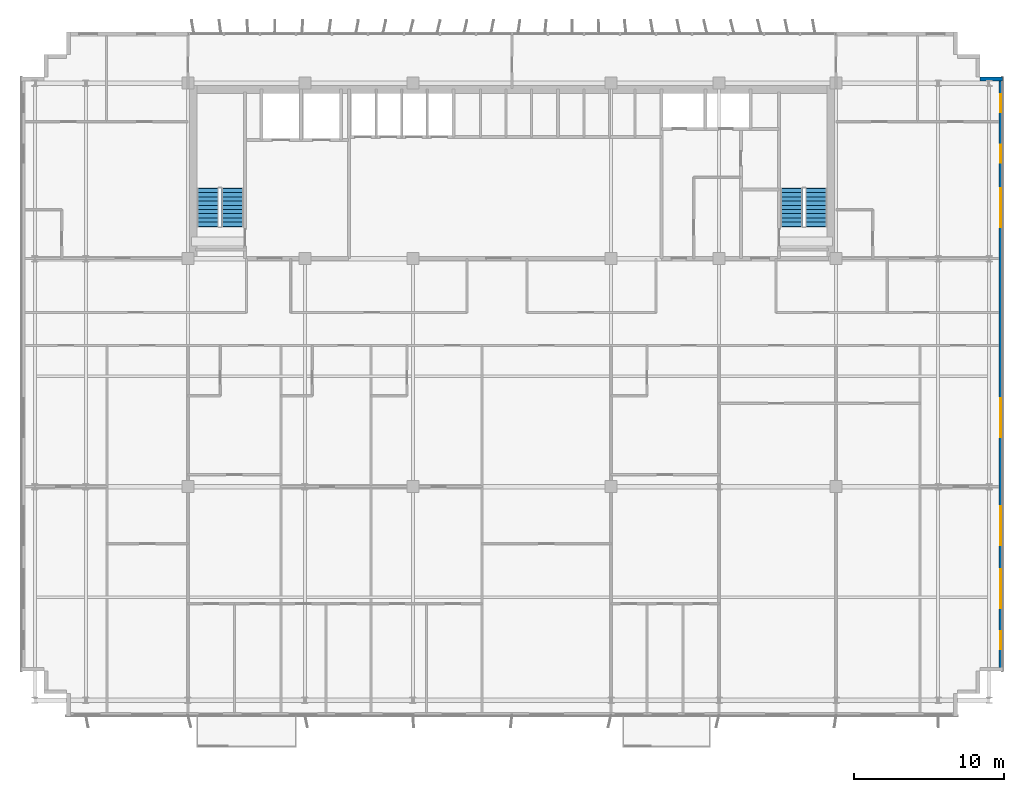
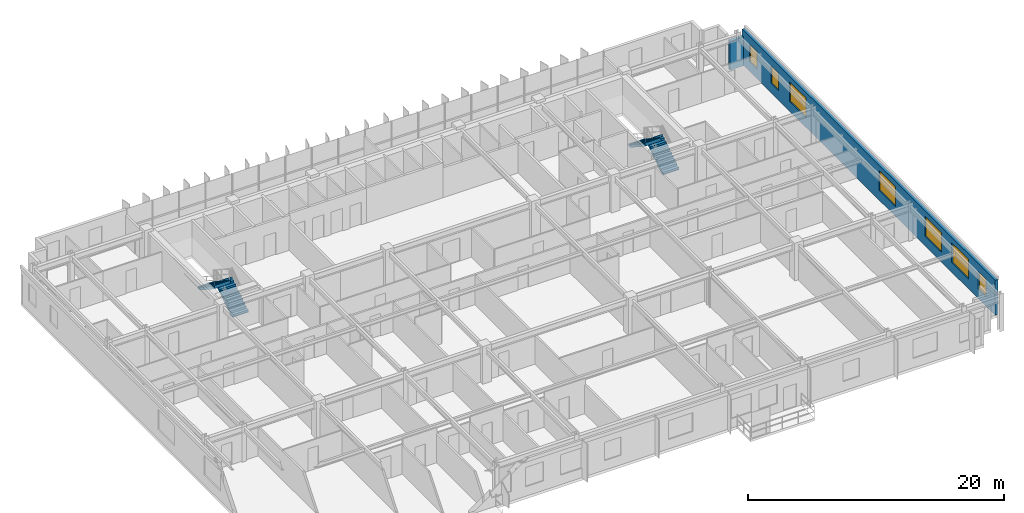
# One storey, part 19 of 22: 7 windows, 4 stair flights, 2 walls, 7 openings, 2 elements without a shape of their own.
"""IFC4 building model written with IfcOpenShell, lengths in metres."""

import ifcopenshell
import ifcopenshell.guid

model = None  # the IFC model being written
_history = None  # IfcOwnerHistory: only IFC2X3 demands one
_inside = {}  # id of a spatial element -> (the spatial element, [elements in it])
_under = {}  # id of a project, library or spatial element -> (it, [spatial elements below it])
_declared = {}  # id of a project -> (the project, [libraries it declares])
_typed = {}  # id of a type object -> (the type object, [elements of that type])
_made_of = {}  # id of a material, layer set ... -> (it, [elements and type objects made of it])


def new_model(schema):
    """Start an empty IFC model of exactly this schema.

    Asked for "IFC4X3", IfcOpenShell would pick the latest addendum, in which some entities
    have other attributes; the version numbers below select the first issue.
    IFC2X3 requires an IfcOwnerHistory on every rooted entity: one is made here for all.
    """
    global model, _history
    if schema == "IFC4X3":
        model = ifcopenshell.file(schema_version=(4, 3, 0, 0))
    else:
        model = ifcopenshell.file(schema=schema)
    _inside.clear()
    _under.clear()
    _declared.clear()
    _typed.clear()
    _made_of.clear()
    _history = None
    if model.schema == "IFC2X3":
        org = make("IfcOrganization", Name="unknown")
        user = make(
            "IfcPersonAndOrganization",
            ThePerson=make("IfcPerson", FamilyName="unknown"),
            TheOrganization=org,
        )
        app = make(
            "IfcApplication",
            ApplicationDeveloper=org,
            Version="unknown",
            ApplicationFullName="unknown",
            ApplicationIdentifier="unknown",
        )
        _history = make(
            "IfcOwnerHistory",
            OwningUser=user,
            OwningApplication=app,
            ChangeAction="ADDED",
            CreationDate=0,
        )
    return model


def make(cls, **values):
    """One entity of the class cls with the attributes given. An attribute that is None is left unset."""
    return model.create_entity(
        cls, **{name: value for name, value in values.items() if value is not None}
    )


def rooted(cls, **values):
    """An entity with a GlobalId (a new one), such as an element, a storey or a relation."""
    return make(cls, GlobalId=ifcopenshell.guid.new(), OwnerHistory=_history, **values)


def si_unit(unit_type, name, prefix=None):
    """IfcSIUnit, for example si_unit("LENGTHUNIT", "METRE", prefix="MILLI")."""
    return make("IfcSIUnit", UnitType=unit_type, Prefix=prefix, Name=name)


def assignment(units):
    """IfcUnitAssignment: the units of a project."""
    return None if units is None else make("IfcUnitAssignment", Units=units)


def point(xyz):
    """IfcCartesianPoint."""
    return None if xyz is None else make("IfcCartesianPoint", Coordinates=xyz)


def direction(xyz):
    """IfcDirection."""
    return None if xyz is None else make("IfcDirection", DirectionRatios=xyz)


def frame(location, z_axis=None, x_axis=None):
    """IfcAxis2Placement3D, a coordinate frame: its origin and axes. An axis left out is left unset."""
    return make(
        "IfcAxis2Placement3D",
        Location=point(location),
        Axis=direction(z_axis),
        RefDirection=direction(x_axis),
    )


def frame_2d(location, x_axis=None):
    """IfcAxis2Placement2D, a coordinate frame in the plane: its origin and x axis."""
    return make(
        "IfcAxis2Placement2D", Location=point(location), RefDirection=direction(x_axis)
    )


def origin():
    """The frame at (0, 0, 0) with its axes left unset."""
    return frame((0.0, 0.0, 0.0))


def place(relative_to, where):
    """IfcLocalPlacement: puts the frame where relative to a parent placement (None: the world)."""
    return make(
        "IfcLocalPlacement", PlacementRelTo=relative_to, RelativePlacement=where
    )


def context(
    kind, dimensions, precision=None, world=None, true_north=None, identifier=None
):
    """IfcGeometricRepresentationContext, for example the 3D "Model" context."""
    return make(
        "IfcGeometricRepresentationContext",
        ContextIdentifier=identifier,
        ContextType=kind,
        CoordinateSpaceDimension=dimensions,
        Precision=precision,
        WorldCoordinateSystem=world,
        TrueNorth=true_north,
    )


def subcontext(parent, identifier, kind, view, scale=None):
    """IfcGeometricRepresentationSubContext, for example "Body" below "Model"."""
    return make(
        "IfcGeometricRepresentationSubContext",
        ContextIdentifier=identifier,
        ContextType=kind,
        ParentContext=parent,
        TargetScale=scale,
        TargetView=view,
    )


def project(units=None, contexts=None):
    """IfcProject with its units and contexts."""
    return rooted(
        "IfcProject",
        Name="project",
        RepresentationContexts=contexts,
        UnitsInContext=assignment(units),
    )


def spatial(cls, under=None, at=None, **own):
    """A site, building, storey or space (cls), placed at a placement, below another one or the project."""
    s = rooted(cls, ObjectPlacement=at, **own)
    if under is not None:
        _under.setdefault(under.id(), (under, []))[1].append(s)
    return s


def polyline(points):
    """IfcPolyline through the points."""
    return make("IfcPolyline", Points=[point(p) for p in points])


def profile(cls, at=None, kind="AREA", **sizes):
    """A parametric profile (cls). Its sizes go by their IFC names, for example OverallWidth=200.0."""
    return make(cls, ProfileType=kind, Position=at, **sizes)


def rectangle(**sizes):
    """IfcRectangleProfileDef."""
    return profile("IfcRectangleProfileDef", **sizes)


def outline(outer, holes=None, kind="AREA"):
    """IfcArbitraryClosedProfileDef: a profile drawn as a closed curve; with holes, ...WithVoids."""
    if holes is None:
        return make("IfcArbitraryClosedProfileDef", ProfileType=kind, OuterCurve=outer)
    return make(
        "IfcArbitraryProfileDefWithVoids",
        ProfileType=kind,
        OuterCurve=outer,
        InnerCurves=holes,
    )


def extrude(swept, where, along, depth):
    """IfcExtrudedAreaSolid: the profile swept, set in the frame where, extruded along a direction by depth."""
    return make(
        "IfcExtrudedAreaSolid",
        SweptArea=swept,
        Position=where,
        ExtrudedDirection=direction(along),
        Depth=depth,
    )


def shape(context_of_items, identifier, shape_type, items):
    """IfcShapeRepresentation: the items that make up one representation, for example the "Body"."""
    return make(
        "IfcShapeRepresentation",
        ContextOfItems=context_of_items,
        RepresentationIdentifier=identifier,
        RepresentationType=shape_type,
        Items=items,
    )


def source(mapping_origin, context_of_items, identifier, shape_type, items):
    """IfcRepresentationMap: a shape defined once, which mapped items show again and again."""
    return make(
        "IfcRepresentationMap",
        MappingOrigin=mapping_origin,
        MappedRepresentation=shape(context_of_items, identifier, shape_type, items),
    )


def transform(
    local_origin,
    x_axis=None,
    y_axis=None,
    z_axis=None,
    scale=None,
    scale2=None,
    scale3=None,
    uniform=True,
):
    """IfcCartesianTransformationOperator3D, or its non-uniform kind. x_axis, y_axis, z_axis: its Axis1, 2, 3."""
    if uniform:
        return make(
            "IfcCartesianTransformationOperator3D",
            Axis1=direction(x_axis),
            Axis2=direction(y_axis),
            LocalOrigin=point(local_origin),
            Scale=scale,
            Axis3=direction(z_axis),
        )
    return make(
        "IfcCartesianTransformationOperator3DnonUniform",
        Axis1=direction(x_axis),
        Axis2=direction(y_axis),
        LocalOrigin=point(local_origin),
        Scale=scale,
        Axis3=direction(z_axis),
        Scale2=scale2,
        Scale3=scale3,
    )


def mapped(mapping_source, mapping_target):
    """IfcMappedItem: shows the shape of a source again, moved by a transform."""
    return make(
        "IfcMappedItem", MappingSource=mapping_source, MappingTarget=mapping_target
    )


def material(Name=None, Category=None):
    """IfcMaterial."""
    return make("IfcMaterial", Name=Name, Category=Category)


def layer(
    of_material, thickness, ventilated=None, Name=None, Category=None, Priority=None
):
    """IfcMaterialLayer: one layer of a wall or slab, of a material (None: an air gap)."""
    return make(
        "IfcMaterialLayer",
        Material=of_material,
        LayerThickness=thickness,
        IsVentilated=ventilated,
        Name=Name,
        Category=Category,
        Priority=Priority,
    )


def layer_set(layers, Name=None):
    """IfcMaterialLayerSet."""
    return make("IfcMaterialLayerSet", MaterialLayers=layers, LayerSetName=Name)


def made_of(thing, what):
    """Note that an element or type object is made of a material, layer set ...; save() writes the relation."""
    if what is not None:
        _made_of.setdefault(what.id(), (what, []))[1].append(thing)
    return thing


def type_object(cls, material=None, **own):
    """A type object (cls), such as IfcWallType, which elements share."""
    return made_of(rooted(cls, **own), material)


def element(
    cls,
    number,
    at=None,
    inside=None,
    cuts=None,
    type_object=None,
    material=None,
    context=None,
    identifier="Body",
    shape_type=None,
    held_by="IfcProductDefinitionShape",
    body=None,
    shapes=None,
    **own,
):
    """One element of the class cls, such as IfcWall. Its Tag is "e" and its number.

    at: its placement. inside: the storey or other place that contains it. cuts: it is an
    opening in that element (IfcRelVoidsElement). A single representation is given by context,
    identifier, shape_type and body (its items); several are given by shapes. held_by: the class
    of the entity that holds the representations. save() writes the other relations.
    """
    e = rooted(cls, Tag="e%d" % number, ObjectPlacement=at, **own)
    if body is not None:
        shapes = [shape(context, identifier, shape_type, body)]
    if shapes is not None:
        e.Representation = make(held_by, Representations=shapes)
    if inside is not None:
        _inside.setdefault(inside.id(), (inside, []))[1].append(e)
    if cuts is not None:
        rooted(
            "IfcRelVoidsElement", RelatingBuildingElement=cuts, RelatedOpeningElement=e
        )
    if type_object is not None:
        _typed.setdefault(type_object.id(), (type_object, []))[1].append(e)
    return made_of(e, material)


def fill(opening, filler):
    """IfcRelFillsElement: the door or window that sits in an opening."""
    return rooted(
        "IfcRelFillsElement",
        RelatingOpeningElement=opening,
        RelatedBuildingElement=filler,
    )


def aggregate(whole, parts):
    """IfcRelAggregates: a whole, such as a stair, and the parts it consists of."""
    return rooted("IfcRelAggregates", RelatingObject=whole, RelatedObjects=parts)


def save(model, path):
    """Write the relations noted so far, then the file.

    IfcRelAggregates (storeys below a building ...), IfcRelContainedInSpatialStructure (elements
    in a storey), IfcRelDefinesByType, IfcRelAssociatesMaterial and IfcRelDeclares: one each for
    every whole, place, type object, material and project.
    """
    for whole, parts in _under.values():
        aggregate(whole, parts)
    for where, things in _inside.values():
        rooted(
            "IfcRelContainedInSpatialStructure",
            RelatedElements=things,
            RelatingStructure=where,
        )
    for kind, things in _typed.values():
        rooted("IfcRelDefinesByType", RelatedObjects=things, RelatingType=kind)
    for what, things in _made_of.values():
        rooted("IfcRelAssociatesMaterial", RelatedObjects=things, RelatingMaterial=what)
    for by, libraries in _declared.values():
        rooted("IfcRelDeclares", RelatingContext=by, RelatedDefinitions=libraries)
    model.write(path)


model = new_model("IFC4")

# Units and contexts
model_context = context("Model", 3, precision=1e-05, world=origin(), true_north=direction((0.0, 1.0)))
body_context = subcontext(model_context, "Body", "Model", "MODEL_VIEW")
ifc_project = project(units=[si_unit("LENGTHUNIT", "METRE"), si_unit("AREAUNIT", "SQUARE_METRE"), si_unit("VOLUMEUNIT", "CUBIC_METRE"), si_unit("PLANEANGLEUNIT", "RADIAN"), si_unit("MASSUNIT", "GRAM", prefix="KILO")], contexts=[model_context])

# Site, building, storey
site_placement = place(None, origin())
site = spatial("IfcSite", under=ifc_project, at=site_placement, CompositionType="ELEMENT")
building_placement = place(site_placement, origin())
building = spatial("IfcBuilding", under=site, at=building_placement, Name="Trelvane Seafront Commons", CompositionType="ELEMENT")
storey_placement = place(building_placement, frame((0.0, 0.0, 117.699951171875)))
storey = spatial("IfcBuildingStorey", under=building, at=storey_placement, Name="L30", CompositionType="ELEMENT", Elevation=117.699951171875)

# Wall
ifc_material_1 = material(Name="Precast concrete C40/50", Category="concrete")
ifc_layer = layer(ifc_material_1, 0.260009765625, Name="ARCH-WALL-EXT260")
ifc_layer_set = layer_set([ifc_layer], Name="Precast concrete C40/50")
wall_type = type_object("IfcWallType", Name="ARCH-WALL-EXT260", PredefinedType="SOLIDWALL", material=ifc_layer_set)
wall_1_placement = place(storey_placement, frame((68.39990234375, 45.3701171875, 0.0), z_axis=(0.0, 0.0, 1.0), x_axis=(1.0, 0.0, 0.0)))
element("IfcWall", 1, at=wall_1_placement, inside=storey, type_object=wall_type, Name="EW-L30-00572", PredefinedType="SOLIDWALL", context=body_context, shape_type="SweptSolid", body=[
    extrude(rectangle(XDim=1.5, YDim=0.260009765625, at=frame_2d((0.75, 0.0))), origin(), (0.0, 0.0, 1.0), 2.751953125),
])

# Wall, openings, windows
wall_2_placement = place(storey_placement, frame((69.77001953125, 45.5, 0.0), z_axis=(0.0, 0.0, 1.0), x_axis=(0.0, -1.0, 0.0)))
wall_2 = element("IfcWall", 2, at=wall_2_placement, inside=storey, type_object=wall_type, Name="EW-L30-00573", PredefinedType="SOLIDWALL", context=body_context, shape_type="SweptSolid", body=[
    extrude(rectangle(XDim=39.60009765625, YDim=0.260009765625, at=frame_2d((19.800048828125, 0.0))), origin(), (0.0, 0.0, 1.0), 3.340087890625),
])
opening_1_placement = place(wall_2_placement, frame((36.949951171875, 0.0, 0.919921875)))
opening_1 = element("IfcOpeningElement", 3, at=opening_1_placement, cuts=wall_2, Name="Opening W05", PredefinedType="OPENING", context=body_context, shape_type="SweptSolid", body=[
    extrude(rectangle(XDim=1.199951171875, YDim=1.64990234375, at=frame_2d((0.60009765625, 0.824951171875))), frame((0.0, 0.139892578125, 0.0), z_axis=(0.0, -1.0, 0.0), x_axis=(1.0, 0.0, 0.0)), (0.0, 0.0, 1.0), 0.280029296875),
])
opening_2_placement = place(wall_2_placement, frame((32.800048828125, 0.0, 0.919921875)))
opening_2 = element("IfcOpeningElement", 4, at=opening_2_placement, cuts=wall_2, Name="Opening W04", PredefinedType="OPENING", context=body_context, shape_type="SweptSolid", body=[
    extrude(rectangle(XDim=2.60009765625, YDim=1.89990234375, at=frame_2d((1.300048828125, 0.949951171875))), frame((0.0, 0.139892578125, 0.0), z_axis=(0.0, -1.0, 0.0), x_axis=(1.0, 0.0, 0.0)), (0.0, 0.0, 1.0), 0.280029296875),
])
opening_3_placement = place(wall_2_placement, frame((28.60009765625, 0.0, 0.919921875)))
opening_3 = element("IfcOpeningElement", 5, at=opening_3_placement, cuts=wall_2, Name="Opening W04", PredefinedType="OPENING", context=body_context, shape_type="SweptSolid", body=[
    extrude(rectangle(XDim=2.60009765625, YDim=1.89990234375, at=frame_2d((1.300048828125, 0.949951171875))), frame((0.0, 0.139892578125, 0.0), z_axis=(0.0, -1.0, 0.0), x_axis=(1.0, 0.0, 0.0)), (0.0, 0.0, 1.0), 0.280029296875),
])
opening_4_placement = place(wall_2_placement, frame((21.39990234375, 0.0, 0.919921875)))
opening_4 = element("IfcOpeningElement", 6, at=opening_4_placement, cuts=wall_2, Name="Opening W04", PredefinedType="OPENING", context=body_context, shape_type="SweptSolid", body=[
    extrude(rectangle(XDim=2.60009765625, YDim=1.89990234375, at=frame_2d((1.300048828125, 0.949951171875))), frame((0.0, 0.139892578125, 0.0), z_axis=(0.0, -1.0, 0.0), x_axis=(1.0, 0.0, 0.0)), (0.0, 0.0, 1.0), 0.280029296875),
])
opening_5_placement = place(wall_2_placement, frame((7.39990234375, 0.0, 0.919921875)))
opening_5 = element("IfcOpeningElement", 7, at=opening_5_placement, cuts=wall_2, Name="Opening W04", PredefinedType="OPENING", context=body_context, shape_type="SweptSolid", body=[
    extrude(rectangle(XDim=2.60009765625, YDim=1.89990234375, at=frame_2d((1.300048828125, 0.949951171875))), frame((0.0, 0.139892578125, 0.0), z_axis=(0.0, -1.0, 0.0), x_axis=(1.0, 0.0, 0.0)), (0.0, 0.0, 1.0), 0.280029296875),
])
opening_6_placement = place(wall_2_placement, frame((4.5, 0.0, 0.919921875)))
opening_6 = element("IfcOpeningElement", 8, at=opening_6_placement, cuts=wall_2, Name="Opening W05", PredefinedType="OPENING", context=body_context, shape_type="SweptSolid", body=[
    extrude(rectangle(XDim=1.199951171875, YDim=1.64990234375, at=frame_2d((0.60009765625, 0.824951171875))), frame((0.0, 0.139892578125, 0.0), z_axis=(0.0, -1.0, 0.0), x_axis=(1.0, 0.0, 0.0)), (0.0, 0.0, 1.0), 0.280029296875),
])
opening_7_placement = place(wall_2_placement, frame((1.14990234375, 0.0, 0.919921875)))
opening_7 = element("IfcOpeningElement", 9, at=opening_7_placement, cuts=wall_2, Name="Opening W05", PredefinedType="OPENING", context=body_context, shape_type="SweptSolid", body=[
    extrude(rectangle(XDim=1.199951171875, YDim=1.64990234375, at=frame_2d((0.60009765625, 0.824951171875))), frame((0.0, 0.139892578125, 0.0), z_axis=(0.0, -1.0, 0.0), x_axis=(1.0, 0.0, 0.0)), (0.0, 0.0, 1.0), 0.280029296875),
])
ifc_material_2 = material(Name="Low-E coastal double glazing", Category="glass")
window_type_1 = type_object("IfcWindowType", Name="ARCH-WIN-W04", PartitioningType="SINGLE_PANEL", PredefinedType="WINDOW", material=ifc_material_2)
shared_shape_1 = source(origin(), body_context, "Body", "SweptSolid", [
    extrude(rectangle(XDim=2.60009765625, YDim=1.89990234375, at=frame_2d((1.300048828125, 0.949951171875))), frame((0.0, 0.030029296875, 0.0), z_axis=(0.0, -1.0, 0.0), x_axis=(1.0, 0.0, 0.0)), (0.0, 0.0, 1.0), 0.06005859375),
])
window_1_placement = place(opening_2_placement, origin())
window_1 = element("IfcWindow", 10, at=window_1_placement, inside=storey, type_object=window_type_1, Name="WIN-L30-EW-00676", OverallHeight=1.89990234375, OverallWidth=2.60009765625, PartitioningType="SINGLE_PANEL", PredefinedType="WINDOW", context=body_context, shape_type="MappedRepresentation", body=[
    mapped(shared_shape_1, transform((0.0, 0.0, 0.0), x_axis=(1.0, 0.0, 0.0), y_axis=(0.0, 1.0, 0.0), z_axis=(0.0, 0.0, 1.0), scale=1.0)),
])
fill(opening_2, window_1)
window_2_placement = place(opening_3_placement, origin())
window_2 = element("IfcWindow", 11, at=window_2_placement, inside=storey, type_object=window_type_1, Name="WIN-L30-EW-00677", OverallHeight=1.89990234375, OverallWidth=2.60009765625, PartitioningType="SINGLE_PANEL", PredefinedType="WINDOW", context=body_context, shape_type="MappedRepresentation", body=[
    mapped(shared_shape_1, transform((0.0, 0.0, 0.0), x_axis=(1.0, 0.0, 0.0), y_axis=(0.0, 1.0, 0.0), z_axis=(0.0, 0.0, 1.0), scale=1.0)),
])
fill(opening_3, window_2)
window_3_placement = place(opening_4_placement, origin())
window_3 = element("IfcWindow", 12, at=window_3_placement, inside=storey, type_object=window_type_1, Name="WIN-L30-EW-00678", OverallHeight=1.89990234375, OverallWidth=2.60009765625, PartitioningType="SINGLE_PANEL", PredefinedType="WINDOW", context=body_context, shape_type="MappedRepresentation", body=[
    mapped(shared_shape_1, transform((0.0, 0.0, 0.0), x_axis=(1.0, 0.0, 0.0), y_axis=(0.0, 1.0, 0.0), z_axis=(0.0, 0.0, 1.0), scale=1.0)),
])
fill(opening_4, window_3)
window_4_placement = place(opening_5_placement, origin())
window_4 = element("IfcWindow", 13, at=window_4_placement, inside=storey, type_object=window_type_1, Name="WIN-L30-EW-00679", OverallHeight=1.89990234375, OverallWidth=2.60009765625, PartitioningType="SINGLE_PANEL", PredefinedType="WINDOW", context=body_context, shape_type="MappedRepresentation", body=[
    mapped(shared_shape_1, transform((0.0, 0.0, 0.0), x_axis=(1.0, 0.0, 0.0), y_axis=(0.0, 1.0, 0.0), z_axis=(0.0, 0.0, 1.0), scale=1.0)),
])
fill(opening_5, window_4)
window_type_2 = type_object("IfcWindowType", Name="ARCH-WIN-W05", PartitioningType="SINGLE_PANEL", PredefinedType="WINDOW", material=ifc_material_2)
shared_shape_2 = source(origin(), body_context, "Body", "SweptSolid", [
    extrude(rectangle(XDim=1.199951171875, YDim=1.64990234375, at=frame_2d((0.60009765625, 0.824951171875))), frame((0.0, 0.030029296875, 0.0), z_axis=(0.0, -1.0, 0.0), x_axis=(1.0, 0.0, 0.0)), (0.0, 0.0, 1.0), 0.06005859375),
])
window_5_placement = place(opening_1_placement, origin())
window_5 = element("IfcWindow", 14, at=window_5_placement, inside=storey, type_object=window_type_2, Name="WIN-L30-EW-00675", OverallHeight=1.64990234375, OverallWidth=1.199951171875, PartitioningType="SINGLE_PANEL", PredefinedType="WINDOW", context=body_context, shape_type="MappedRepresentation", body=[
    mapped(shared_shape_2, transform((0.0, 0.0, 0.0), x_axis=(1.0, 0.0, 0.0), y_axis=(0.0, 1.0, 0.0), z_axis=(0.0, 0.0, 1.0), scale=1.0)),
])
fill(opening_1, window_5)
window_6_placement = place(opening_6_placement, origin())
window_6 = element("IfcWindow", 15, at=window_6_placement, inside=storey, type_object=window_type_2, Name="WIN-L30-EW-00680", OverallHeight=1.64990234375, OverallWidth=1.199951171875, PartitioningType="SINGLE_PANEL", PredefinedType="WINDOW", context=body_context, shape_type="MappedRepresentation", body=[
    mapped(shared_shape_2, transform((0.0, 0.0, 0.0), x_axis=(1.0, 0.0, 0.0), y_axis=(0.0, 1.0, 0.0), z_axis=(0.0, 0.0, 1.0), scale=1.0)),
])
fill(opening_6, window_6)
window_7_placement = place(opening_7_placement, origin())
window_7 = element("IfcWindow", 16, at=window_7_placement, inside=storey, type_object=window_type_2, Name="WIN-L30-EW-00681", OverallHeight=1.64990234375, OverallWidth=1.199951171875, PartitioningType="SINGLE_PANEL", PredefinedType="WINDOW", context=body_context, shape_type="MappedRepresentation", body=[
    mapped(shared_shape_2, transform((0.0, 0.0, 0.0), x_axis=(1.0, 0.0, 0.0), y_axis=(0.0, 1.0, 0.0), z_axis=(0.0, 0.0, 1.0), scale=1.0)),
])
fill(opening_7, window_7)

# Stair, stair flights
ifc_material_3 = material(Name="Concrete C40/50", Category="concrete")
stair_type_1 = type_object("IfcStairType", Name="ARCH-STR-ST-1-R20-180", PredefinedType="HALF_TURN_STAIR", material=ifc_material_3)
stair_1_placement = place(storey_placement, origin())
stair_1 = element("IfcStair", 17, at=stair_1_placement, inside=storey, type_object=stair_type_1, Name="L30 West Protected Firefighting Exit Stair ST-1", PredefinedType="HALF_TURN_STAIR")
stair_flight_type_1 = type_object("IfcStairFlightType", Name="ARCH-FLG-ST-1-R20-180", PredefinedType="STRAIGHT", material=ifc_material_3)
shared_shape_3 = source(origin(), body_context, "Body", "SweptSolid", [
    extrude(outline(polyline([(-0.050048828125, -0.02001953125), (-0.050048828125, 0.0), (0.0, 0.0), (0.0, 0.179931640625), (0.280029296875, 0.179931640625), (0.280029296875, 0.360107421875), (0.56005859375, 0.360107421875), (0.56005859375, 0.5400390625), (0.840087890625, 0.5400390625), (0.840087890625, 0.719970703125), (1.1201171875, 0.719970703125), (1.1201171875, 0.89990234375), (1.39990234375, 0.89990234375), (1.39990234375, 1.080078125), (1.679931640625, 1.080078125), (1.679931640625, 1.260009765625), (1.9599609375, 1.260009765625), (1.9599609375, 1.43994140625), (2.239990234375, 1.43994140625), (2.239990234375, 1.6201171875), (2.52001953125, 1.6201171875), (2.52001953125, 1.800048828125), (2.570068359375, 1.800048828125), (2.570068359375, 1.650146484375), (2.52001953125, 1.44189453125), (0.277099609375, -0.02001953125), (-0.050048828125, -0.02001953125)])), frame((0.0, 0.72509765625, 0.0), z_axis=(0.0, -1.0, 0.0), x_axis=(1.0, 0.0, 0.0)), (0.0, 0.0, 1.0), 1.449951171875),
])
stair_flight_1_placement = place(storey_placement, frame((18.574951171875, 35.550048828125, 0.0), z_axis=(0.0, 0.0, 1.0), x_axis=(0.0, 1.0, 0.0)))
stair_flight_1 = element("IfcStairFlight", 18, at=stair_flight_1_placement, type_object=stair_flight_type_1, Name="ST-1 flight 1", NumberOfRisers=10, NumberOfTreads=9, PredefinedType="STRAIGHT", RiserHeight=0.18, TreadLength=0.28, context=body_context, shape_type="MappedRepresentation", body=[
    mapped(shared_shape_3, transform((0.0, 0.0, 0.0), x_axis=(1.0, 0.0, 0.0), y_axis=(0.0, 1.0, 0.0), z_axis=(0.0, 0.0, 1.0), scale=1.0)),
])
stair_flight_2_placement = place(storey_placement, frame((16.925048828125, 38.070068359375, 1.800048828125), z_axis=(0.0, 0.0, 1.0), x_axis=(0.0, -1.0, 0.0)))
stair_flight_2 = element("IfcStairFlight", 19, at=stair_flight_2_placement, type_object=stair_flight_type_1, Name="ST-1 flight 2", NumberOfRisers=10, NumberOfTreads=9, PredefinedType="STRAIGHT", RiserHeight=0.18, TreadLength=0.28, context=body_context, shape_type="MappedRepresentation", body=[
    mapped(shared_shape_3, transform((0.0, 0.0, 0.0), x_axis=(1.0, 0.0, 0.0), y_axis=(0.0, 1.0, 0.0), z_axis=(0.0, 0.0, 1.0), scale=1.0)),
])
aggregate(stair_1, [stair_flight_1, stair_flight_2])

stair_type_2 = type_object("IfcStairType", Name="ARCH-STR-ST-2-R20-180", PredefinedType="HALF_TURN_STAIR", material=ifc_material_3)
stair_2_placement = place(storey_placement, origin())
stair_2 = element("IfcStair", 20, at=stair_2_placement, inside=storey, type_object=stair_type_2, Name="L30 East Protected Firefighting Exit Stair ST-2", PredefinedType="HALF_TURN_STAIR")
stair_flight_type_2 = type_object("IfcStairFlightType", Name="ARCH-FLG-ST-2-R20-180", PredefinedType="STRAIGHT", material=ifc_material_3)
stair_flight_3_placement = place(storey_placement, frame((57.47509765625, 35.550048828125, 0.0), z_axis=(0.0, 0.0, 1.0), x_axis=(0.0, 1.0, 0.0)))
stair_flight_3 = element("IfcStairFlight", 21, at=stair_flight_3_placement, type_object=stair_flight_type_2, Name="ST-2 flight 1", NumberOfRisers=10, NumberOfTreads=9, PredefinedType="STRAIGHT", RiserHeight=0.18, TreadLength=0.28, context=body_context, shape_type="MappedRepresentation", body=[
    mapped(shared_shape_3, transform((0.0, 0.0, 0.0), x_axis=(1.0, 0.0, 0.0), y_axis=(0.0, 1.0, 0.0), z_axis=(0.0, 0.0, 1.0), scale=1.0)),
])
stair_flight_4_placement = place(storey_placement, frame((55.824951171875, 38.070068359375, 1.800048828125), z_axis=(0.0, 0.0, 1.0), x_axis=(0.0, -1.0, 0.0)))
stair_flight_4 = element("IfcStairFlight", 22, at=stair_flight_4_placement, type_object=stair_flight_type_2, Name="ST-2 flight 2", NumberOfRisers=10, NumberOfTreads=9, PredefinedType="STRAIGHT", RiserHeight=0.18, TreadLength=0.28, context=body_context, shape_type="MappedRepresentation", body=[
    mapped(shared_shape_3, transform((0.0, 0.0, 0.0), x_axis=(1.0, 0.0, 0.0), y_axis=(0.0, 1.0, 0.0), z_axis=(0.0, 0.0, 1.0), scale=1.0)),
])
aggregate(stair_2, [stair_flight_3, stair_flight_4])

save(model, "model.ifc")
